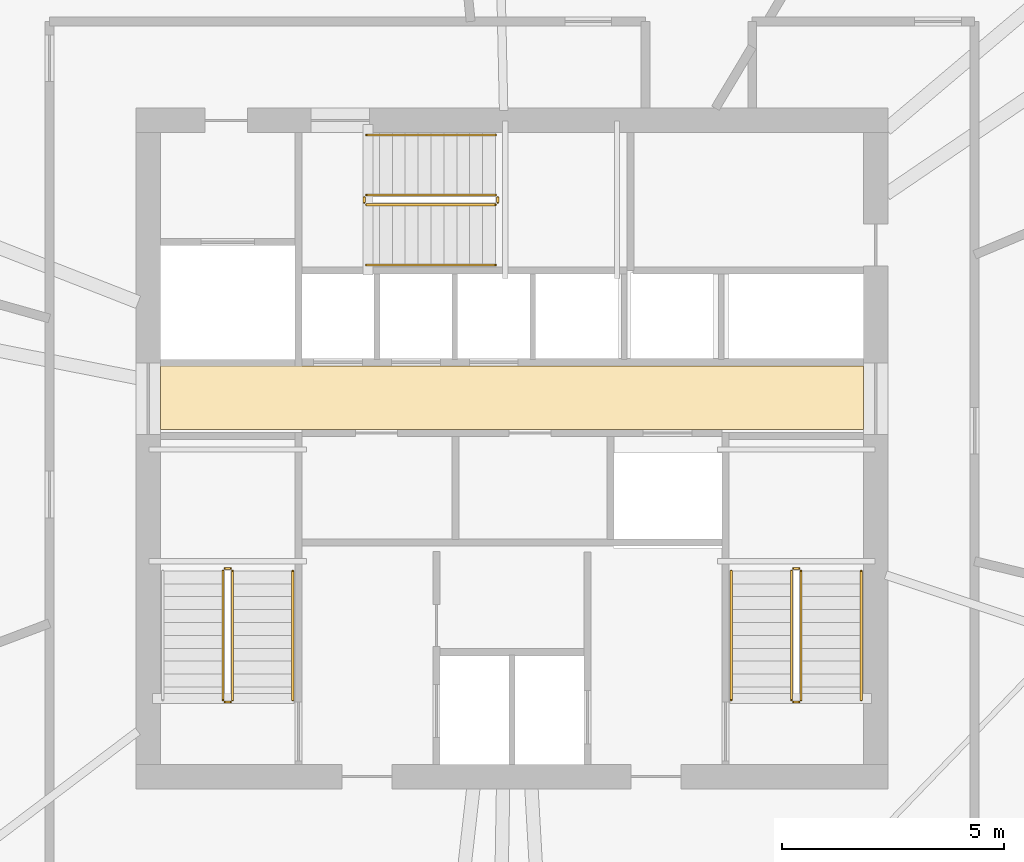
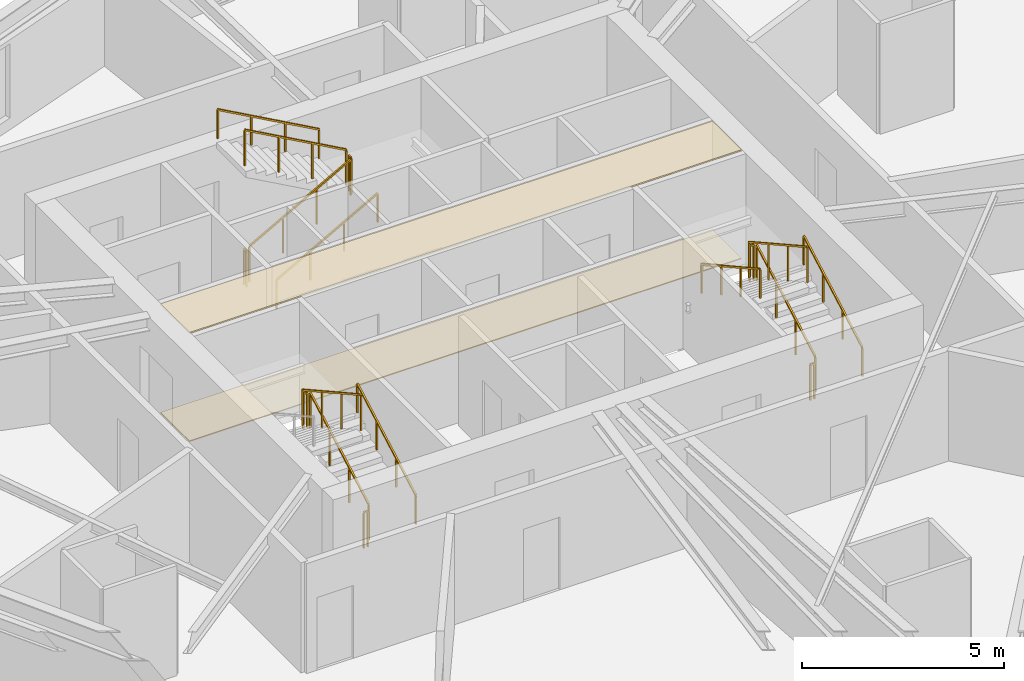
# One storey, part 13 of 14: 17 railings, 2 coverings.
"""IFC4 building model written with IfcOpenShell, lengths in metres."""

from ifc_helpers import new_model, si_unit, direction, frame, origin, origin_2d, place, context, subcontext, project, spatial, polyline, rectangle, outline, extrude, material, layer, layer_set, type_object, element, save


model = new_model("IFC4")

# Units and contexts
model_context = context("Model", 3, precision=1e-05, world=origin(), true_north=direction((0.0, 1.0)))
body_context = subcontext(model_context, "Body", "Model", "MODEL_VIEW")
ifc_project = project(units=[si_unit("LENGTHUNIT", "METRE"), si_unit("AREAUNIT", "SQUARE_METRE"), si_unit("VOLUMEUNIT", "CUBIC_METRE"), si_unit("PLANEANGLEUNIT", "RADIAN"), si_unit("MASSUNIT", "GRAM", prefix="KILO")], contexts=[model_context])

# Site, building, storey
site_placement = place(None, origin())
site = spatial("IfcSite", under=ifc_project, at=site_placement, CompositionType="ELEMENT")
building_placement = place(site_placement, origin())
building = spatial("IfcBuilding", under=site, at=building_placement, Name="Olszyna Solenne Hotel", CompositionType="ELEMENT")
storey_placement = place(building_placement, frame((0.0, 0.0, 182.10009765625)))
storey = spatial("IfcBuildingStorey", under=building, at=storey_placement, Name="L48", CompositionType="ELEMENT", Elevation=182.10009765625)

# Coverings
ifc_material_1 = material(Name="Mineral wool acoustic ceiling")
ifc_layer_1 = layer(ifc_material_1, 0.0400390625, Name="Mineral wool acoustic ceiling")
ifc_layer_set_1 = layer_set([ifc_layer_1], Name="Mineral wool acoustic ceiling")
covering_type_1 = type_object("IfcCoveringType", Name="CL-AC1", PredefinedType="CEILING", material=ifc_layer_set_1)
covering_1_placement = place(storey_placement, frame((0.0, 0.0, 3.27001953125)))
element("IfcCovering", 1, at=covering_1_placement, inside=storey, type_object=covering_type_1, Name="Lift lobby acoustic tile ceiling CL-L48-01", PredefinedType="CEILING", context=body_context, shape_type="SweptSolid", body=[
    extrude(outline(polyline([(30.10009765625, 27.030029296875), (45.89990234375, 27.030029296875), (45.89990234375, 28.4599609375), (30.10009765625, 28.4599609375), (30.10009765625, 27.030029296875)])), origin(), (0.0, 0.0, 1.0), 0.039794921875),
])
ifc_material_2 = material(Name="Ceramic floor tile")
ifc_layer_2 = layer(ifc_material_2, 0.030029296875, Name="Ceramic floor tile")
ifc_layer_set_2 = layer_set([ifc_layer_2], Name="Ceramic floor tile")
covering_type_2 = type_object("IfcCoveringType", Name="FL-TL1", PredefinedType="FLOORING", material=ifc_layer_set_2)
covering_2_placement = place(storey_placement, origin())
element("IfcCovering", 2, at=covering_2_placement, inside=storey, type_object=covering_type_2, Name="Lift lobby stoneware floor finish FLR-L48-01", PredefinedType="FLOORING", context=body_context, shape_type="SweptSolid", body=[
    extrude(outline(polyline([(30.10009765625, 27.030029296875), (45.89990234375, 27.030029296875), (45.89990234375, 28.4599609375), (30.10009765625, 28.4599609375), (30.10009765625, 27.030029296875)])), origin(), (0.0, 0.0, 1.0), 0.02978515625),
])

# Railings
ifc_material_3 = material(Name="Anodised bronze aluminium", Category="aluminium")
railing_type_1 = type_object("IfcRailingType", Name="GR-110", PredefinedType="BALUSTRADE", material=ifc_material_3)
railing_1_placement = place(storey_placement, frame((31.719970703125, 20.949951171875, 0.161376953125)))
element("IfcRailing", 3, at=railing_1_placement, inside=storey, type_object=railing_type_1, Name="L48 ST1 stair guard 1", PredefinedType="BALUSTRADE", context=body_context, shape_type="SweptSolid", body=[
    extrude(rectangle(XDim=0.048095703125, YDim=0.048095703125, at=origin_2d()), frame((0.0, 0.0, 1.076171875), z_axis=(0.0, 0.873858693841, 0.486179990537), x_axis=(-1.0, 0.0, 0.0)), (0.0, 0.0, 1.0), 3.31884765625),
    extrude(rectangle(XDim=0.0419921875, YDim=0.0419921875, at=origin_2d()), origin(), (0.0, 0.0, 1.0), 1.052001953125),
    extrude(rectangle(XDim=0.0419921875, YDim=0.0419921875, at=origin_2d()), frame((0.0, 0.966796875, 0.537841796875)), (0.0, 0.0, 1.0), 1.052001953125),
    extrude(rectangle(XDim=0.0419921875, YDim=0.0419921875, at=origin_2d()), frame((0.0, 1.933349609375, 1.07568359375)), (0.0, 0.0, 1.0), 1.052001953125),
    extrude(rectangle(XDim=0.0419921875, YDim=0.0419921875, at=origin_2d()), frame((0.0, 2.900146484375, 1.613525390625)), (0.0, 0.0, 1.0), 1.052001953125),
])
railing_2_placement = place(storey_placement, frame((31.669921875, 23.89990234375, 1.77490234375)))
element("IfcRailing", 4, at=railing_2_placement, inside=storey, type_object=railing_type_1, Name="L48 ST1 stair guard 2", PredefinedType="BALUSTRADE", context=body_context, shape_type="SweptSolid", body=[
    extrude(rectangle(XDim=0.048095703125, YDim=0.048095703125, at=origin_2d()), frame((0.0, 0.0, 1.076171875), z_axis=(-1.0, 0.0, 0.0), x_axis=(0.0, -1.0, 0.0)), (0.0, 0.0, 1.0), 0.119873046875),
    extrude(rectangle(XDim=0.0419921875, YDim=0.0419921875, at=origin_2d()), origin(), (0.0, 0.0, 1.0), 1.052001953125),
    extrude(rectangle(XDim=0.0419921875, YDim=0.0419921875, at=origin_2d()), frame((-0.119873046875, 0.0, 0.0)), (0.0, 0.0, 1.0), 1.052001953125),
])
railing_3_placement = place(storey_placement, frame((31.5, 23.85009765625, 1.936279296875)))
element("IfcRailing", 5, at=railing_3_placement, inside=storey, type_object=railing_type_1, Name="L48 ST1 stair guard 3", PredefinedType="BALUSTRADE", context=body_context, shape_type="SweptSolid", body=[
    extrude(rectangle(XDim=0.048095703125, YDim=0.048095703125, at=origin_2d()), frame((0.0, 0.0, 1.076171875), z_axis=(0.0, -0.873858693841, 0.486179990537), x_axis=(1.0, 0.0, 0.0)), (0.0, 0.0, 1.0), 3.31884765625),
    extrude(rectangle(XDim=0.0419921875, YDim=0.0419921875, at=origin_2d()), origin(), (0.0, 0.0, 1.0), 1.052001953125),
    extrude(rectangle(XDim=0.0419921875, YDim=0.0419921875, at=origin_2d()), frame((0.0, -0.966796875, 0.537841796875)), (0.0, 0.0, 1.0), 1.052001953125),
    extrude(rectangle(XDim=0.0419921875, YDim=0.0419921875, at=origin_2d()), frame((0.0, -1.933349609375, 1.07568359375)), (0.0, 0.0, 1.0), 1.052001953125),
    extrude(rectangle(XDim=0.0419921875, YDim=0.0419921875, at=origin_2d()), frame((0.0, -2.900146484375, 1.613525390625)), (0.0, 0.0, 1.0), 1.052001953125),
])
railing_4_placement = place(storey_placement, frame((31.669921875, 20.89990234375, 0.0)))
element("IfcRailing", 6, at=railing_4_placement, inside=storey, type_object=railing_type_1, Name="L48 ST1 stair guard 4", PredefinedType="BALUSTRADE", context=body_context, shape_type="SweptSolid", body=[
    extrude(rectangle(XDim=0.048095703125, YDim=0.048095703125, at=origin_2d()), frame((0.0, 0.0, 1.076171875), z_axis=(-1.0, 0.0, 0.0), x_axis=(0.0, -1.0, 0.0)), (0.0, 0.0, 1.0), 0.119873046875),
    extrude(rectangle(XDim=0.0419921875, YDim=0.0419921875, at=origin_2d()), origin(), (0.0, 0.0, 1.0), 1.052001953125),
    extrude(rectangle(XDim=0.0419921875, YDim=0.0419921875, at=origin_2d()), frame((-0.119873046875, 0.0, 0.0)), (0.0, 0.0, 1.0), 1.052001953125),
])
railing_5_placement = place(storey_placement, frame((44.5, 20.949951171875, 0.161376953125)))
element("IfcRailing", 7, at=railing_5_placement, inside=storey, type_object=railing_type_1, Name="L48 ST2 stair guard 1", PredefinedType="BALUSTRADE", context=body_context, shape_type="SweptSolid", body=[
    extrude(rectangle(XDim=0.048095703125, YDim=0.048095703125, at=origin_2d()), frame((0.0, 0.0, 1.076171875), z_axis=(0.0, 0.873858693841, 0.486179990537), x_axis=(-1.0, 0.0, 0.0)), (0.0, 0.0, 1.0), 3.31884765625),
    extrude(rectangle(XDim=0.0419921875, YDim=0.0419921875, at=origin_2d()), origin(), (0.0, 0.0, 1.0), 1.052001953125),
    extrude(rectangle(XDim=0.0419921875, YDim=0.0419921875, at=origin_2d()), frame((0.0, 0.966796875, 0.537841796875)), (0.0, 0.0, 1.0), 1.052001953125),
    extrude(rectangle(XDim=0.0419921875, YDim=0.0419921875, at=origin_2d()), frame((0.0, 1.933349609375, 1.07568359375)), (0.0, 0.0, 1.0), 1.052001953125),
    extrude(rectangle(XDim=0.0419921875, YDim=0.0419921875, at=origin_2d()), frame((0.0, 2.900146484375, 1.613525390625)), (0.0, 0.0, 1.0), 1.052001953125),
])
railing_6_placement = place(storey_placement, frame((44.449951171875, 23.89990234375, 1.77490234375)))
element("IfcRailing", 8, at=railing_6_placement, inside=storey, type_object=railing_type_1, Name="L48 ST2 stair guard 2", PredefinedType="BALUSTRADE", context=body_context, shape_type="SweptSolid", body=[
    extrude(rectangle(XDim=0.048095703125, YDim=0.048095703125, at=origin_2d()), frame((0.0, 0.0, 1.076171875), z_axis=(-1.0, 0.0, 0.0), x_axis=(0.0, -1.0, 0.0)), (0.0, 0.0, 1.0), 0.119873046875),
    extrude(rectangle(XDim=0.0419921875, YDim=0.0419921875, at=origin_2d()), origin(), (0.0, 0.0, 1.0), 1.052001953125),
    extrude(rectangle(XDim=0.0419921875, YDim=0.0419921875, at=origin_2d()), frame((-0.119873046875, 0.0, 0.0)), (0.0, 0.0, 1.0), 1.052001953125),
])
railing_7_placement = place(storey_placement, frame((44.280029296875, 23.85009765625, 1.936279296875)))
element("IfcRailing", 9, at=railing_7_placement, inside=storey, type_object=railing_type_1, Name="L48 ST2 stair guard 3", PredefinedType="BALUSTRADE", context=body_context, shape_type="SweptSolid", body=[
    extrude(rectangle(XDim=0.048095703125, YDim=0.048095703125, at=origin_2d()), frame((0.0, 0.0, 1.076171875), z_axis=(0.0, -0.873858693841, 0.486179990537), x_axis=(1.0, 0.0, 0.0)), (0.0, 0.0, 1.0), 3.31884765625),
    extrude(rectangle(XDim=0.0419921875, YDim=0.0419921875, at=origin_2d()), origin(), (0.0, 0.0, 1.0), 1.052001953125),
    extrude(rectangle(XDim=0.0419921875, YDim=0.0419921875, at=origin_2d()), frame((0.0, -0.966796875, 0.537841796875)), (0.0, 0.0, 1.0), 1.052001953125),
    extrude(rectangle(XDim=0.0419921875, YDim=0.0419921875, at=origin_2d()), frame((0.0, -1.933349609375, 1.07568359375)), (0.0, 0.0, 1.0), 1.052001953125),
    extrude(rectangle(XDim=0.0419921875, YDim=0.0419921875, at=origin_2d()), frame((0.0, -2.900146484375, 1.613525390625)), (0.0, 0.0, 1.0), 1.052001953125),
])
railing_8_placement = place(storey_placement, frame((44.449951171875, 20.89990234375, 0.0)))
element("IfcRailing", 10, at=railing_8_placement, inside=storey, type_object=railing_type_1, Name="L48 ST2 stair guard 4", PredefinedType="BALUSTRADE", context=body_context, shape_type="SweptSolid", body=[
    extrude(rectangle(XDim=0.048095703125, YDim=0.048095703125, at=origin_2d()), frame((0.0, 0.0, 1.076171875), z_axis=(-1.0, 0.0, 0.0), x_axis=(0.0, -1.0, 0.0)), (0.0, 0.0, 1.0), 0.119873046875),
    extrude(rectangle(XDim=0.0419921875, YDim=0.0419921875, at=origin_2d()), origin(), (0.0, 0.0, 1.0), 1.052001953125),
    extrude(rectangle(XDim=0.0419921875, YDim=0.0419921875, at=origin_2d()), frame((-0.119873046875, 0.0, 0.0)), (0.0, 0.0, 1.0), 1.052001953125),
])
railing_9_placement = place(storey_placement, frame((34.72998046875, 32.080078125, 0.161376953125)))
element("IfcRailing", 11, at=railing_9_placement, inside=storey, type_object=railing_type_1, Name="L48 ST3 stair guard 1", PredefinedType="BALUSTRADE", context=body_context, shape_type="SweptSolid", body=[
    extrude(rectangle(XDim=0.048095703125, YDim=0.048095703125, at=origin_2d()), frame((0.0, 0.0, 1.076171875), z_axis=(0.873841303929, 0.0, 0.486211245805), x_axis=(0.0, 1.0, 0.0)), (0.0, 0.0, 1.0), 3.318603515625),
    extrude(rectangle(XDim=0.0419921875, YDim=0.0419921875, at=origin_2d()), origin(), (0.0, 0.0, 1.0), 1.052001953125),
    extrude(rectangle(XDim=0.0419921875, YDim=0.0419921875, at=origin_2d()), frame((0.966552734375, 0.0, 0.537841796875)), (0.0, 0.0, 1.0), 1.052001953125),
    extrude(rectangle(XDim=0.0419921875, YDim=0.0419921875, at=origin_2d()), frame((1.933349609375, 0.0, 1.07568359375)), (0.0, 0.0, 1.0), 1.052001953125),
    extrude(rectangle(XDim=0.0419921875, YDim=0.0419921875, at=origin_2d()), frame((2.89990234375, 0.0, 1.613525390625)), (0.0, 0.0, 1.0), 1.052001953125),
])
railing_10_placement = place(storey_placement, frame((37.679931640625, 32.1298828125, 1.77490234375)))
element("IfcRailing", 12, at=railing_10_placement, inside=storey, type_object=railing_type_1, Name="L48 ST3 stair guard 2", PredefinedType="BALUSTRADE", context=body_context, shape_type="SweptSolid", body=[
    extrude(rectangle(XDim=0.048095703125, YDim=0.048095703125, at=origin_2d()), frame((0.0, 0.0, 1.076171875), z_axis=(0.0, 1.0, 0.0), x_axis=(-1.0, 0.0, 0.0)), (0.0, 0.0, 1.0), 0.1201171875),
    extrude(rectangle(XDim=0.0419921875, YDim=0.0419921875, at=origin_2d()), origin(), (0.0, 0.0, 1.0), 1.052001953125),
    extrude(rectangle(XDim=0.0419921875, YDim=0.0419921875, at=origin_2d()), frame((0.0, 0.1201171875, 0.0)), (0.0, 0.0, 1.0), 1.052001953125),
])
railing_11_placement = place(storey_placement, frame((37.6298828125, 32.300048828125, 1.936279296875)))
element("IfcRailing", 13, at=railing_11_placement, inside=storey, type_object=railing_type_1, Name="L48 ST3 stair guard 3", PredefinedType="BALUSTRADE", context=body_context, shape_type="SweptSolid", body=[
    extrude(rectangle(XDim=0.048095703125, YDim=0.048095703125, at=origin_2d()), frame((0.0, 0.0, 1.076171875), z_axis=(-0.873841303929, 0.0, 0.486211245805), x_axis=(0.0, -1.0, 0.0)), (0.0, 0.0, 1.0), 3.318603515625),
    extrude(rectangle(XDim=0.0419921875, YDim=0.0419921875, at=origin_2d()), origin(), (0.0, 0.0, 1.0), 1.052001953125),
    extrude(rectangle(XDim=0.0419921875, YDim=0.0419921875, at=origin_2d()), frame((-0.966552734375, 0.0, 0.537841796875)), (0.0, 0.0, 1.0), 1.052001953125),
    extrude(rectangle(XDim=0.0419921875, YDim=0.0419921875, at=origin_2d()), frame((-1.933349609375, 0.0, 1.07568359375)), (0.0, 0.0, 1.0), 1.052001953125),
    extrude(rectangle(XDim=0.0419921875, YDim=0.0419921875, at=origin_2d()), frame((-2.89990234375, 0.0, 1.613525390625)), (0.0, 0.0, 1.0), 1.052001953125),
])
railing_12_placement = place(storey_placement, frame((34.679931640625, 32.1298828125, 0.0)))
element("IfcRailing", 14, at=railing_12_placement, inside=storey, type_object=railing_type_1, Name="L48 ST3 stair guard 4", PredefinedType="BALUSTRADE", context=body_context, shape_type="SweptSolid", body=[
    extrude(rectangle(XDim=0.048095703125, YDim=0.048095703125, at=origin_2d()), frame((0.0, 0.0, 1.076171875), z_axis=(0.0, 1.0, 0.0), x_axis=(-1.0, 0.0, 0.0)), (0.0, 0.0, 1.0), 0.1201171875),
    extrude(rectangle(XDim=0.0419921875, YDim=0.0419921875, at=origin_2d()), origin(), (0.0, 0.0, 1.0), 1.052001953125),
    extrude(rectangle(XDim=0.0419921875, YDim=0.0419921875, at=origin_2d()), frame((0.0, 0.1201171875, 0.0)), (0.0, 0.0, 1.0), 1.052001953125),
])
ifc_material_4 = material(Name="Steel S355J2", Category="steel")
railing_type_2 = type_object("IfcRailingType", Name="HR-090", PredefinedType="HANDRAIL", material=ifc_material_4)
for number, where, name in (
    (15, (33.070068359375, 20.949951171875, 0.161376953125), "L48 ST1 stair handrail 1"),
    (16, (45.85009765625, 20.949951171875, 0.161376953125), "L48 ST2 stair handrail 1"),
):
    element("IfcRailing", number, at=place(storey_placement, frame(where)), inside=storey, type_object=railing_type_2, Name=name, PredefinedType="HANDRAIL", context=body_context, shape_type="SweptSolid", body=[
        extrude(rectangle(XDim=0.048095703125, YDim=0.048095703125, at=origin_2d()), frame((0.0, 0.0, 0.8759765625), z_axis=(0.0, 0.873858693841, 0.486179990537), x_axis=(-1.0, 0.0, 0.0)), (0.0, 0.0, 1.0), 3.31884765625),
        extrude(rectangle(XDim=0.0419921875, YDim=0.0419921875, at=origin_2d()), origin(), (0.0, 0.0, 1.0), 0.851806640625),
        extrude(rectangle(XDim=0.0419921875, YDim=0.0419921875, at=origin_2d()), frame((0.0, 0.966796875, 0.537841796875)), (0.0, 0.0, 1.0), 0.851806640625),
        extrude(rectangle(XDim=0.0419921875, YDim=0.0419921875, at=origin_2d()), frame((0.0, 1.933349609375, 1.07568359375)), (0.0, 0.0, 1.0), 0.851806640625),
        extrude(rectangle(XDim=0.0419921875, YDim=0.0419921875, at=origin_2d()), frame((0.0, 2.900146484375, 1.613525390625)), (0.0, 0.0, 1.0), 0.851806640625),
    ])
railing_13_placement = place(storey_placement, frame((42.929931640625, 23.85009765625, 1.936279296875)))
element("IfcRailing", 17, at=railing_13_placement, inside=storey, type_object=railing_type_2, Name="L48 ST2 stair handrail 2", PredefinedType="HANDRAIL", context=body_context, shape_type="SweptSolid", body=[
    extrude(rectangle(XDim=0.048095703125, YDim=0.048095703125, at=origin_2d()), frame((0.0, 0.0, 0.8759765625), z_axis=(0.0, -0.873858693841, 0.486179990537), x_axis=(1.0, 0.0, 0.0)), (0.0, 0.0, 1.0), 3.31884765625),
    extrude(rectangle(XDim=0.0419921875, YDim=0.0419921875, at=origin_2d()), origin(), (0.0, 0.0, 1.0), 0.851806640625),
    extrude(rectangle(XDim=0.0419921875, YDim=0.0419921875, at=origin_2d()), frame((0.0, -0.966796875, 0.537841796875)), (0.0, 0.0, 1.0), 0.851806640625),
    extrude(rectangle(XDim=0.0419921875, YDim=0.0419921875, at=origin_2d()), frame((0.0, -1.933349609375, 1.07568359375)), (0.0, 0.0, 1.0), 0.851806640625),
    extrude(rectangle(XDim=0.0419921875, YDim=0.0419921875, at=origin_2d()), frame((0.0, -2.900146484375, 1.613525390625)), (0.0, 0.0, 1.0), 0.851806640625),
])
railing_14_placement = place(storey_placement, frame((34.72998046875, 30.72998046875, 0.161376953125)))
element("IfcRailing", 18, at=railing_14_placement, inside=storey, type_object=railing_type_2, Name="L48 ST3 stair handrail 1", PredefinedType="HANDRAIL", context=body_context, shape_type="SweptSolid", body=[
    extrude(rectangle(XDim=0.048095703125, YDim=0.048095703125, at=origin_2d()), frame((0.0, 0.0, 0.8759765625), z_axis=(0.873841303929, 0.0, 0.486211245805), x_axis=(0.0, 1.0, 0.0)), (0.0, 0.0, 1.0), 3.318603515625),
    extrude(rectangle(XDim=0.0419921875, YDim=0.0419921875, at=origin_2d()), origin(), (0.0, 0.0, 1.0), 0.851806640625),
    extrude(rectangle(XDim=0.0419921875, YDim=0.0419921875, at=origin_2d()), frame((0.966552734375, 0.0, 0.537841796875)), (0.0, 0.0, 1.0), 0.851806640625),
    extrude(rectangle(XDim=0.0419921875, YDim=0.0419921875, at=origin_2d()), frame((1.933349609375, 0.0, 1.07568359375)), (0.0, 0.0, 1.0), 0.851806640625),
    extrude(rectangle(XDim=0.0419921875, YDim=0.0419921875, at=origin_2d()), frame((2.89990234375, 0.0, 1.613525390625)), (0.0, 0.0, 1.0), 0.851806640625),
])
railing_15_placement = place(storey_placement, frame((37.6298828125, 33.64990234375, 1.936279296875)))
element("IfcRailing", 19, at=railing_15_placement, inside=storey, type_object=railing_type_2, Name="L48 ST3 stair handrail 2", PredefinedType="HANDRAIL", context=body_context, shape_type="SweptSolid", body=[
    extrude(rectangle(XDim=0.048095703125, YDim=0.048095703125, at=origin_2d()), frame((0.0, 0.0, 0.8759765625), z_axis=(-0.873841303929, 0.0, 0.486211245805), x_axis=(0.0, -1.0, 0.0)), (0.0, 0.0, 1.0), 3.318603515625),
    extrude(rectangle(XDim=0.0419921875, YDim=0.0419921875, at=origin_2d()), origin(), (0.0, 0.0, 1.0), 0.851806640625),
    extrude(rectangle(XDim=0.0419921875, YDim=0.0419921875, at=origin_2d()), frame((-0.966552734375, 0.0, 0.537841796875)), (0.0, 0.0, 1.0), 0.851806640625),
    extrude(rectangle(XDim=0.0419921875, YDim=0.0419921875, at=origin_2d()), frame((-1.933349609375, 0.0, 1.07568359375)), (0.0, 0.0, 1.0), 0.851806640625),
    extrude(rectangle(XDim=0.0419921875, YDim=0.0419921875, at=origin_2d()), frame((-2.89990234375, 0.0, 1.613525390625)), (0.0, 0.0, 1.0), 0.851806640625),
])

save(model, "model.ifc")
